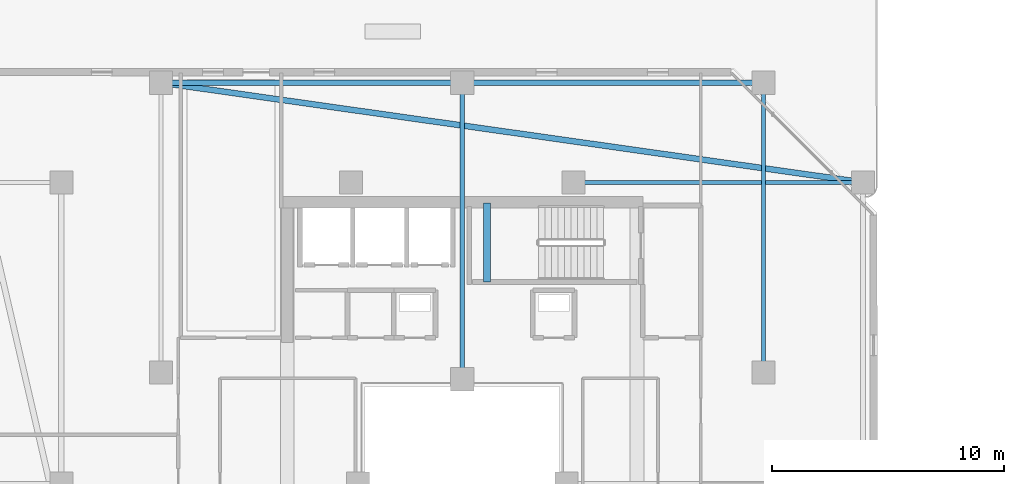
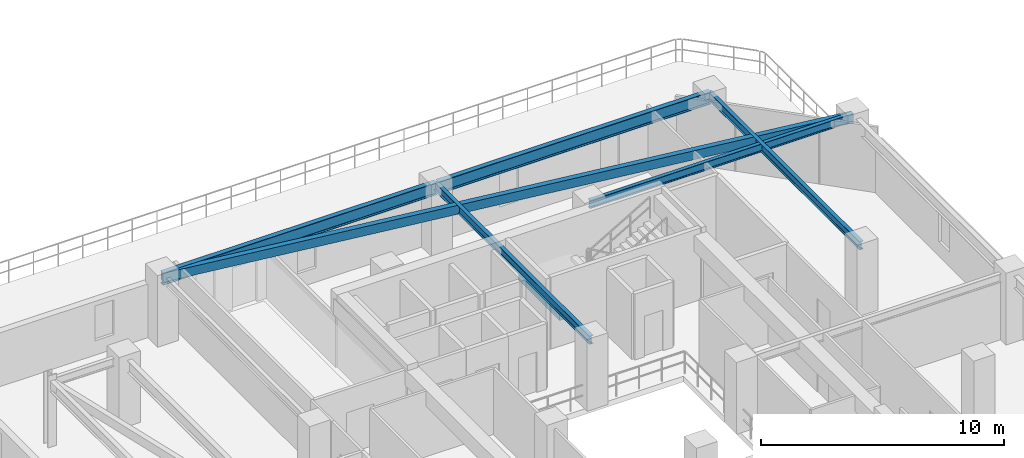
# One storey, part 8 of 29: 7 beams.
"""IFC4 building model written with IfcOpenShell, lengths in metres."""

from ifc_helpers import new_model, si_unit, direction, frame, origin, origin_2d, place, context, subcontext, project, spatial, rectangle, hollow_rectangle, i_section, extrude, material, material_profile, profile_set, type_object, element, save


model = new_model("IFC4")

# Units and contexts
model_context = context("Model", 3, precision=1e-05, world=origin(), true_north=direction((0.0, 1.0)))
body_context = subcontext(model_context, "Body", "Model", "MODEL_VIEW")
ifc_project = project(units=[si_unit("LENGTHUNIT", "METRE"), si_unit("AREAUNIT", "SQUARE_METRE"), si_unit("VOLUMEUNIT", "CUBIC_METRE"), si_unit("PLANEANGLEUNIT", "RADIAN"), si_unit("MASSUNIT", "GRAM", prefix="KILO")], contexts=[model_context])

# Site, building, storey
site_placement = place(None, origin())
site = spatial("IfcSite", under=ifc_project, at=site_placement, CompositionType="ELEMENT")
building_placement = place(site_placement, origin())
building = spatial("IfcBuilding", under=site, at=building_placement, Name="Thornwick Lancets Civic Towers", CompositionType="ELEMENT")
storey_placement = place(building_placement, frame((0.0, 0.0, 229.5)))
storey = spatial("IfcBuildingStorey", under=building, at=storey_placement, Name="L61", CompositionType="ELEMENT", Elevation=229.5)

# Beams
ifc_material_1 = material(Name="Steel S355JR", Category="steel")
ifc_material_profile_1 = material_profile(ifc_material_1, i_section(OverallWidth=0.230224609375, OverallDepth=0.6171875, WebThickness=0.01318359375, FlangeThickness=0.022216796875, FilletRadius=0.0126953125, at=origin_2d()), Name="UKB 610x229x140")
ifc_profile_set_1 = profile_set([ifc_material_profile_1], Name="Steel S355JR")
beam_type_1 = type_object("IfcBeamType", Name="BM_GIRD_610_140", PredefinedType="BEAM", material=ifc_profile_set_1)
beam_1_placement = place(storey_placement, frame((12.5, 44.300048828125, 3.011474609375), z_axis=(1.0, 0.0, 0.0), x_axis=(0.0, 1.0, 0.0)))
element("IfcBeam", 1, at=beam_1_placement, inside=storey, type_object=beam_type_1, Name="BM-SPINE-L61-A-6-7", PredefinedType="BEAM", context=body_context, shape_type="SweptSolid", body=[
    extrude(i_section(OverallWidth=0.230224609375, OverallDepth=0.6171875, WebThickness=0.01318359375, FlangeThickness=0.022216796875, FilletRadius=0.0126953125, at=origin_2d()), origin(), (0.0, 0.0, 1.0), 13.0),
])
beam_2_placement = place(storey_placement, frame((25.580078125, 44.300048828125, 3.011474609375), z_axis=(1.0, 0.0, 0.0), x_axis=(0.0, 1.0, 0.0)))
element("IfcBeam", 2, at=beam_2_placement, inside=storey, type_object=beam_type_1, Name="BM-SPINE-L61-A-7-8", PredefinedType="BEAM", context=body_context, shape_type="SweptSolid", body=[
    extrude(i_section(OverallWidth=0.230224609375, OverallDepth=0.6171875, WebThickness=0.01318359375, FlangeThickness=0.022216796875, FilletRadius=0.0126953125, at=origin_2d()), origin(), (0.0, 0.0, 1.0), 12.919921875),
])
ifc_material_profile_2 = material_profile(ifc_material_1, i_section(OverallWidth=0.179443359375, OverallDepth=0.412841796875, WebThickness=0.009521484375, FlangeThickness=0.01611328125, FilletRadius=0.01025390625, at=origin_2d()), Name="UKB 406x178x74")
ifc_profile_set_2 = profile_set([ifc_material_profile_2], Name="Steel S355JR")
beam_type_2 = type_object("IfcBeamType", Name="BM_JOIST_406_74", PredefinedType="JOIST", material=ifc_profile_set_2)
beam_3_placement = place(storey_placement, frame((30.300048828125, 40.0, 3.113525390625), z_axis=(1.0, 0.0, 0.0), x_axis=(0.0, 1.0, 0.0)))
element("IfcBeam", 3, at=beam_3_placement, inside=storey, type_object=beam_type_2, Name="BM-RADIN-L61-A06", PredefinedType="JOIST", context=body_context, shape_type="SweptSolid", body=[
    extrude(i_section(OverallWidth=0.179443359375, OverallDepth=0.412841796875, WebThickness=0.009521484375, FlangeThickness=0.01611328125, FilletRadius=0.01025390625, at=origin_2d()), origin(), (0.0, 0.0, 1.0), 12.5),
])
beam_4_placement = place(storey_placement, frame((25.5, 31.5, 3.113525390625), z_axis=(0.0, 1.0, 0.0), x_axis=(-1.0, 0.0, 0.0)))
element("IfcBeam", 4, at=beam_4_placement, inside=storey, type_object=beam_type_2, Name="BM-RADIN-L61-A08", PredefinedType="JOIST", context=body_context, shape_type="SweptSolid", body=[
    extrude(i_section(OverallWidth=0.179443359375, OverallDepth=0.412841796875, WebThickness=0.009521484375, FlangeThickness=0.01611328125, FilletRadius=0.01025390625, at=origin_2d()), origin(), (0.0, 0.0, 1.0), 12.800048828125),
])
beam_5_placement = place(storey_placement, frame((38.5, 31.800048828125, 3.113525390625), z_axis=(0.0, 1.0, 0.0), x_axis=(-1.0, 0.0, 0.0)))
element("IfcBeam", 5, at=beam_5_placement, inside=storey, type_object=beam_type_2, Name="BM-RADIN-L61-A09", PredefinedType="JOIST", context=body_context, shape_type="SweptSolid", body=[
    extrude(i_section(OverallWidth=0.179443359375, OverallDepth=0.412841796875, WebThickness=0.009521484375, FlangeThickness=0.01611328125, FilletRadius=0.01025390625, at=origin_2d()), origin(), (0.0, 0.0, 1.0), 12.5),
])
ifc_material_profile_3 = material_profile(ifc_material_1, hollow_rectangle(XDim=0.25, YDim=0.449951171875, WallThickness=0.01611328125, at=origin_2d()), Name="RHS 450x250x16")
ifc_profile_set_3 = profile_set([ifc_material_profile_3], Name="Steel S355JR")
beam_type_3 = type_object("IfcBeamType", Name="BM_RING_RHS450", PredefinedType="BEAM", material=ifc_profile_set_3)
beam_6_placement = place(storey_placement, frame((42.800048828125, 40.0, 3.094970703125), z_axis=(-0.990079584012, 0.140507712682, 0.0), x_axis=(-0.140507712682, -0.990079584012, 0.0)))
element("IfcBeam", 6, at=beam_6_placement, inside=storey, type_object=beam_type_3, Name="BM-CHAMF-L61-A-C1", PredefinedType="BEAM", context=body_context, shape_type="SweptSolid", body=[
    extrude(hollow_rectangle(XDim=0.25, YDim=0.449951171875, WallThickness=0.01611328125, at=origin_2d()), origin(), (0.0, 0.0, 1.0), 30.603759765625),
])
ifc_material_2 = material(Name="Concrete C40/50", Category="concrete")
ifc_material_profile_4 = material_profile(ifc_material_2, rectangle(XDim=0.300048828125, YDim=0.35009765625, at=origin_2d()), Name="RC 300x350")
ifc_profile_set_4 = profile_set([ifc_material_profile_4], Name="Concrete C40/50")
beam_type_4 = type_object("IfcBeamType", Name="BM_STAIR_LDG", PredefinedType="BEAM", material=ifc_profile_set_4)
beam_7_placement = place(storey_placement, frame((26.56494140625, 39.10009765625, 1.3779296875), z_axis=(0.0, -1.0, 0.0), x_axis=(1.0, 0.0, 0.0)))
element("IfcBeam", 7, at=beam_7_placement, inside=storey, type_object=beam_type_4, Name="L61 ST-A2 Landing Support Beam 1", PredefinedType="BEAM", context=body_context, shape_type="SweptSolid", body=[
    extrude(rectangle(XDim=0.300048828125, YDim=0.35009765625, at=origin_2d()), origin(), (0.0, 0.0, 1.0), 3.400146484375),
])

save(model, "model.ifc")
